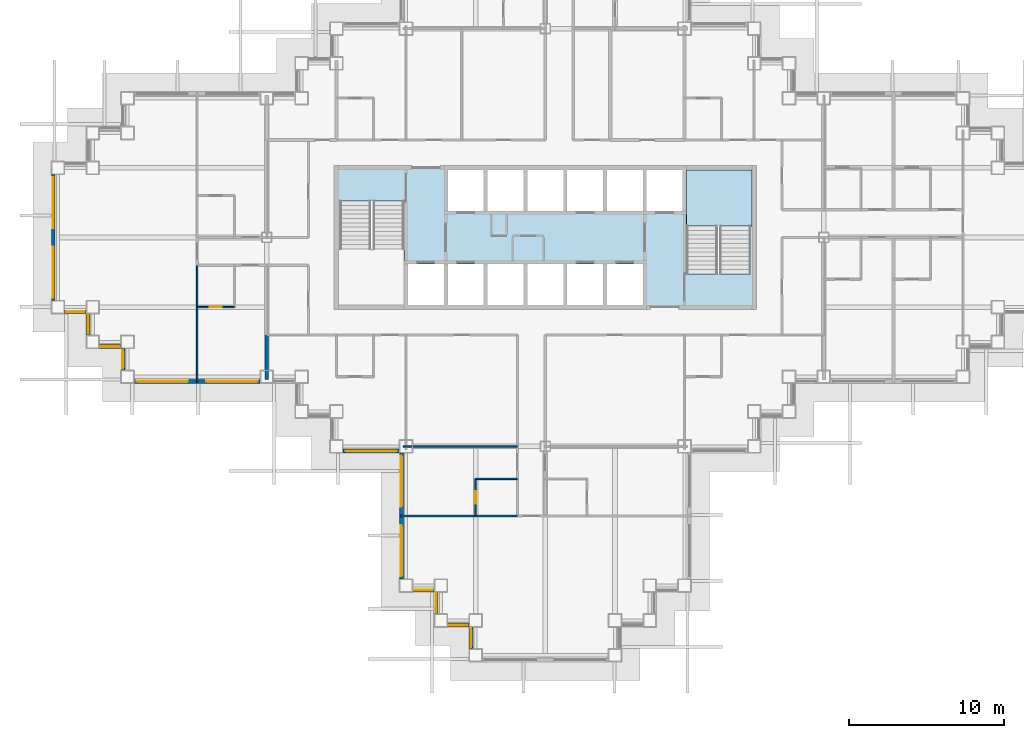
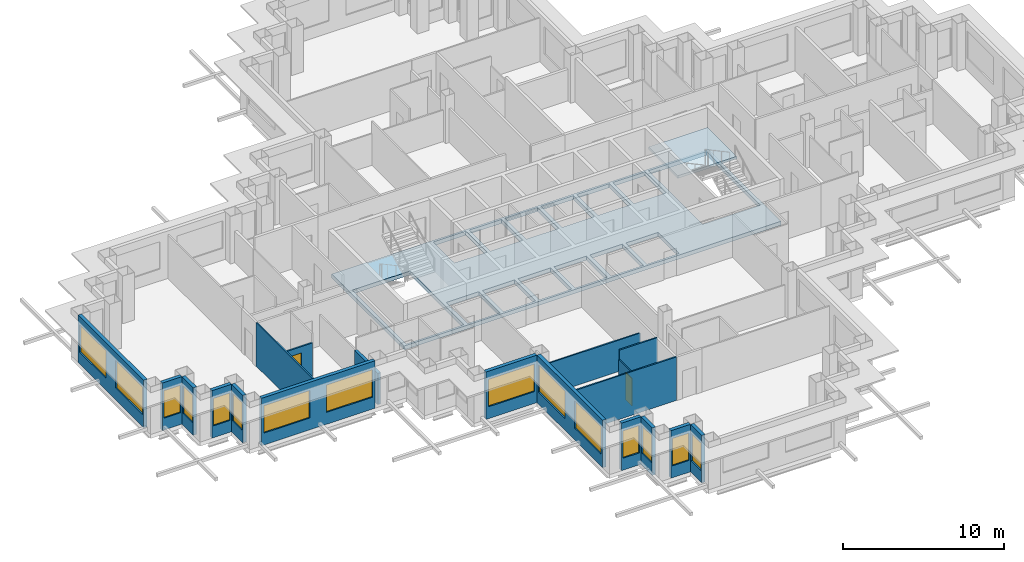
# One storey, part 4 of 17: 19 walls, 15 windows, 2 doors, 2 slabs, 17 openings, 1 element without a shape of its own.
"""IFC4 building model written with IfcOpenShell, lengths in metres."""

from ifc_helpers import new_model, si_unit, direction, frame, frame_2d, origin, place, context, subcontext, project, spatial, polyline, rectangle, outline, extrude, material, layer, layer_set, type_object, element, fill, aggregate, save


model = new_model("IFC4")

# Units and contexts
model_context = context("Model", 3, precision=1e-05, world=origin(), true_north=direction((0.0, 1.0)))
body_context = subcontext(model_context, "Body", "Model", "MODEL_VIEW")
ifc_project = project(units=[si_unit("LENGTHUNIT", "METRE"), si_unit("AREAUNIT", "SQUARE_METRE"), si_unit("VOLUMEUNIT", "CUBIC_METRE"), si_unit("PLANEANGLEUNIT", "RADIAN"), si_unit("MASSUNIT", "GRAM", prefix="KILO")], contexts=[model_context])

# Site, building, storey
site_placement = place(None, origin())
site = spatial("IfcSite", under=ifc_project, at=site_placement, CompositionType="ELEMENT")
building_placement = place(site_placement, origin())
building = spatial("IfcBuilding", under=site, at=building_placement, Name="Caravel Reach Hotel and Residences", CompositionType="ELEMENT")
storey_placement = place(building_placement, frame((0.0, 0.0, 126.0)))
storey = spatial("IfcBuildingStorey", under=building, at=storey_placement, Name="L31", CompositionType="ELEMENT", Elevation=126.0)

# Slab
ifc_material_1 = material(Name="Concrete C40", Category="concrete")
ifc_layer_1 = layer(ifc_material_1, 0.300048828125)
ifc_layer_set_1 = layer_set([ifc_layer_1], Name="Core floor slab 300 mm")
slab_type_1 = type_object("IfcSlabType", Name="Core floor slab 300 mm", PredefinedType="FLOOR", material=ifc_layer_set_1)
slab_1_placement = place(storey_placement, frame((0.0, 0.0, -0.300048828125)))
element("IfcSlab", 1, at=slab_1_placement, inside=storey, type_object=slab_type_1, Name="L31 core floor", PredefinedType="FLOOR", context=body_context, shape_type="SweptSolid", body=[
    extrude(outline(polyline([(18.0, 31.5), (45.0, 31.5), (45.0, 22.5), (18.0, 22.5), (18.0, 31.5)]), holes=[polyline([(22.625, 25.27490234375), (22.625, 22.64990234375), (24.9462890625, 22.64990234375), (24.9462890625, 25.27490234375), (22.625, 25.27490234375)]), polyline([(27.517822265625, 25.27490234375), (25.1962890625, 25.27490234375), (25.1962890625, 22.64990234375), (27.517822265625, 22.64990234375), (27.517822265625, 25.27490234375)]), polyline([(30.08935546875, 25.27490234375), (27.767822265625, 25.27490234375), (27.767822265625, 22.64990234375), (30.08935546875, 22.64990234375), (30.08935546875, 25.27490234375)]), polyline([(32.66064453125, 25.27490234375), (30.33935546875, 25.27490234375), (30.33935546875, 22.64990234375), (32.66064453125, 22.64990234375), (32.66064453125, 25.27490234375)]), polyline([(18.22509765625, 22.64990234375), (22.375, 22.64990234375), (22.375, 29.35009765625), (18.22509765625, 29.35009765625), (18.22509765625, 22.64990234375)]), polyline([(27.517822265625, 31.35009765625), (25.1962890625, 31.35009765625), (25.1962890625, 28.72509765625), (27.517822265625, 28.72509765625), (27.517822265625, 31.35009765625)]), polyline([(30.08935546875, 31.35009765625), (27.767822265625, 31.35009765625), (27.767822265625, 28.72509765625), (30.08935546875, 28.72509765625), (30.08935546875, 31.35009765625)]), polyline([(32.91064453125, 25.27490234375), (32.91064453125, 22.64990234375), (35.232177734375, 22.64990234375), (35.232177734375, 25.27490234375), (32.91064453125, 25.27490234375)]), polyline([(37.8037109375, 25.27490234375), (35.482177734375, 25.27490234375), (35.482177734375, 22.64990234375), (37.8037109375, 22.64990234375), (37.8037109375, 25.27490234375)]), polyline([(44.77490234375, 31.35009765625), (40.625, 31.35009765625), (40.625, 24.64990234375), (44.77490234375, 24.64990234375), (44.77490234375, 31.35009765625)]), polyline([(32.66064453125, 31.35009765625), (30.33935546875, 31.35009765625), (30.33935546875, 28.72509765625), (32.66064453125, 28.72509765625), (32.66064453125, 31.35009765625)]), polyline([(35.232177734375, 31.35009765625), (32.91064453125, 31.35009765625), (32.91064453125, 28.72509765625), (35.232177734375, 28.72509765625), (35.232177734375, 31.35009765625)]), polyline([(37.8037109375, 31.35009765625), (35.482177734375, 31.35009765625), (35.482177734375, 28.72509765625), (37.8037109375, 28.72509765625), (37.8037109375, 31.35009765625)]), polyline([(40.375, 31.35009765625), (38.0537109375, 31.35009765625), (38.0537109375, 28.72509765625), (40.375, 28.72509765625), (40.375, 31.35009765625)])]), origin(), (0.0, 0.0, 1.0), 0.300048828125),
])

# Stair, slab
ifc_material_2 = material(Name="Concrete C40", Category="concrete")
stair_type = type_object("IfcStairType", Name="Core stair", PredefinedType="HALF_TURN_STAIR", material=ifc_material_2)
stair_placement = place(storey_placement, origin())
stair = element("IfcStair", 2, at=stair_placement, inside=storey, type_object=stair_type, Name="L31 Exit stair B", PredefinedType="HALF_TURN_STAIR")
ifc_material_3 = material(Name="Concrete C40", Category="concrete")
ifc_layer_2 = layer(ifc_material_3, 0.199951171875)
ifc_layer_set_2 = layer_set([ifc_layer_2], Name="Core stair landing")
slab_type_2 = type_object("IfcSlabType", Name="Core stair landing", PredefinedType="LANDING", material=ifc_layer_set_2)
slab_2_placement = place(storey_placement, frame((0.0, 0.0, 1.60009765625)))
slab_2 = element("IfcSlab", 3, at=slab_2_placement, type_object=slab_type_2, Name="ST-B landing 1", PredefinedType="LANDING", context=body_context, shape_type="SweptSolid", body=[
    extrude(outline(polyline([(44.85009765625, 27.72998046875), (44.85009765625, 31.35009765625), (40.625, 31.35009765625), (40.625, 27.72998046875), (44.85009765625, 27.72998046875)])), origin(), (0.0, 0.0, 1.0), 0.199951171875),
])
aggregate(stair, [slab_2])

# Wall
ifc_material_4 = material(Name="Gypsum board on steel stud", Category="steel")
ifc_layer_3 = layer(ifc_material_4, 0.10009765625)
ifc_layer_set_3 = layer_set([ifc_layer_3], Name="Bathroom pod wall 100 mm")
wall_type_1 = type_object("IfcWallType", Name="Bathroom pod wall 100 mm", PredefinedType="PARTITIONING", material=ifc_layer_set_3)
wall_1_placement = place(storey_placement, frame((27.0, 11.39990234375, 0.0), z_axis=(0.0, 0.0, 1.0), x_axis=(1.0, 0.0, 0.0)))
element("IfcWall", 4, at=wall_1_placement, inside=storey, type_object=wall_type_1, Name="L31 wall w068", PredefinedType="PARTITIONING", context=body_context, shape_type="SweptSolid", body=[
    extrude(rectangle(XDim=2.699951171875, YDim=0.10009765625, at=frame_2d((1.35009765625, 0.0))), origin(), (0.0, 0.0, 1.0), 3.300048828125),
])

# Wall, opening, door
wall_2_placement = place(storey_placement, frame((9.0, 22.5, 0.0), z_axis=(0.0, 0.0, 1.0), x_axis=(1.0, 0.0, 0.0)))
wall_2 = element("IfcWall", 5, at=wall_2_placement, inside=storey, type_object=wall_type_1, Name="L31 wall w071", PredefinedType="PARTITIONING", context=body_context, shape_type="SweptSolid", body=[
    extrude(rectangle(XDim=2.39990234375, YDim=0.10009765625, at=frame_2d((1.199951171875, 0.0))), origin(), (0.0, 0.0, 1.0), 2.580078125),
])
opening_1_placement = place(wall_2_placement, frame((0.800048828125, 0.0, 0.0)))
opening_1 = element("IfcOpeningElement", 6, at=opening_1_placement, cuts=wall_2, Name="Opening D31-017", PredefinedType="OPENING", context=body_context, shape_type="SweptSolid", body=[
    extrude(rectangle(XDim=0.800048828125, YDim=2.10009765625, at=frame_2d((0.39990234375, 1.050048828125))), frame((0.0, 0.06005859375, 0.0), z_axis=(0.0, -1.0, 0.0), x_axis=(1.0, 0.0, 0.0)), (0.0, 0.0, 1.0), 0.1201171875),
])
ifc_material_5 = material(Name="Timber and steel door leaf", Category="steel")
door_type = type_object("IfcDoorType", Name="Bathroom door 800 x 2100", OperationType="SINGLE_SWING_LEFT", PredefinedType="DOOR", material=ifc_material_5)
door_1_placement = place(opening_1_placement, origin())
door_1 = element("IfcDoor", 7, at=door_1_placement, inside=storey, type_object=door_type, Name="door D31-017", OperationType="SINGLE_SWING_RIGHT", OverallHeight=2.10009765625, OverallWidth=0.800048828125, PredefinedType="DOOR", context=body_context, shape_type="SweptSolid", body=[
    extrude(rectangle(XDim=0.800048828125, YDim=2.10009765625, at=frame_2d((0.39990234375, 1.050048828125))), frame((0.0, 0.02490234375, 0.0), z_axis=(0.0, -1.0, 0.0), x_axis=(1.0, 0.0, 0.0)), (0.0, 0.0, 1.0), 0.050048828125),
])
fill(opening_1, door_1)

wall_3_placement = place(storey_placement, frame((27.0, 9.0, 0.0), z_axis=(0.0, 0.0, 1.0), x_axis=(0.0, 1.0, 0.0)))
wall_3 = element("IfcWall", 8, at=wall_3_placement, inside=storey, type_object=wall_type_1, Name="L31 wall w086", PredefinedType="PARTITIONING", context=body_context, shape_type="SweptSolid", body=[
    extrude(rectangle(XDim=2.39990234375, YDim=0.10009765625, at=frame_2d((1.199951171875, 0.0))), origin(), (0.0, 0.0, 1.0), 2.580078125),
])
opening_2_placement = place(wall_3_placement, frame((0.800048828125, 0.0, 0.0)))
opening_2 = element("IfcOpeningElement", 9, at=opening_2_placement, cuts=wall_3, Name="Opening D31-033", PredefinedType="OPENING", context=body_context, shape_type="SweptSolid", body=[
    extrude(rectangle(XDim=0.800048828125, YDim=2.10009765625, at=frame_2d((0.39990234375, 1.050048828125))), frame((0.0, 0.06005859375, 0.0), z_axis=(0.0, -1.0, 0.0), x_axis=(1.0, 0.0, 0.0)), (0.0, 0.0, 1.0), 0.1201171875),
])
door_2_placement = place(opening_2_placement, origin())
door_2 = element("IfcDoor", 10, at=door_2_placement, inside=storey, type_object=door_type, Name="door D31-033", OperationType="SINGLE_SWING_LEFT", OverallHeight=2.10009765625, OverallWidth=0.800048828125, PredefinedType="DOOR", context=body_context, shape_type="SweptSolid", body=[
    extrude(rectangle(XDim=0.800048828125, YDim=2.10009765625, at=frame_2d((0.39990234375, 1.050048828125))), frame((0.0, 0.02490234375, 0.0), z_axis=(0.0, -1.0, 0.0), x_axis=(1.0, 0.0, 0.0)), (0.0, 0.0, 1.0), 0.050048828125),
])
fill(opening_2, door_2)

# Wall, opening, window
ifc_material_6 = material(Name="Insulated rainscreen wall, aluminium cladding", Category="aluminium")
ifc_layer_4 = layer(ifc_material_6, 0.25)
ifc_layer_set_4 = layer_set([ifc_layer_4], Name="EW1 Tower rainscreen wall")
wall_type_2 = type_object("IfcWallType", Name="EW1 Tower rainscreen wall", PredefinedType="SOLIDWALL", material=ifc_layer_set_4)
wall_4_placement = place(storey_placement, frame((22.925048828125, 4.199951171875, 0.0), z_axis=(0.0, 0.0, 1.0), x_axis=(1.0, 0.0, 0.0)))
wall_4 = element("IfcWall", 11, at=wall_4_placement, inside=storey, type_object=wall_type_2, Name="External wall L31 S1.1", PredefinedType="SOLIDWALL", context=body_context, shape_type="SweptSolid", body=[
    extrude(rectangle(XDim=1.39990234375, YDim=0.25, at=frame_2d((0.699951171875, 0.0))), origin(), (0.0, 0.0, 1.0), 3.60009765625),
])
opening_3_placement = place(wall_4_placement, frame((0.10009765625, 0.0, 0.89990234375)))
opening_3 = element("IfcOpeningElement", 12, at=opening_3_placement, cuts=wall_4, Name="Opening WN9", PredefinedType="OPENING", context=body_context, shape_type="SweptSolid", body=[
    extrude(rectangle(XDim=1.199951171875, YDim=2.080078125, at=frame_2d((0.60009765625, 1.0400390625))), frame((0.0, 0.135009765625, 0.0), z_axis=(0.0, -1.0, 0.0), x_axis=(1.0, 0.0, 0.0)), (0.0, 0.0, 1.0), 0.27001953125),
])
ifc_material_7 = material(Name="Dark low-e glazing in black aluminium frame", Category="aluminium")
window_type_1 = type_object("IfcWindowType", Name="Hotel suite corner window 1200 x 2080", PartitioningType="SINGLE_PANEL", PredefinedType="WINDOW", material=ifc_material_7)
window_1_placement = place(opening_3_placement, origin())
window_1 = element("IfcWindow", 13, at=window_1_placement, inside=storey, type_object=window_type_1, Name="Window L31 S1.1.1", OverallHeight=2.080078125, OverallWidth=1.199951171875, PartitioningType="SINGLE_PANEL", PredefinedType="WINDOW", context=body_context, shape_type="SweptSolid", body=[
    extrude(rectangle(XDim=1.199951171875, YDim=2.080078125, at=frame_2d((0.60009765625, 1.0400390625))), frame((0.0, 0.030029296875, 0.0), z_axis=(0.0, -1.0, 0.0), x_axis=(1.0, 0.0, 0.0)), (0.0, 0.0, 1.0), 0.06005859375),
])
fill(opening_3, window_1)

wall_5_placement = place(storey_placement, frame((24.449951171875, 4.074951171875, 0.0), z_axis=(0.0, 0.0, 1.0), x_axis=(0.0, -1.0, 0.0)))
wall_5 = element("IfcWall", 14, at=wall_5_placement, inside=storey, type_object=wall_type_2, Name="External wall L31 W2.1", PredefinedType="SOLIDWALL", context=body_context, shape_type="SweptSolid", body=[
    extrude(rectangle(XDim=1.39990234375, YDim=0.25, at=frame_2d((0.699951171875, 0.0))), origin(), (0.0, 0.0, 1.0), 3.60009765625),
])
opening_4_placement = place(wall_5_placement, frame((0.10009765625, 0.0, 0.89990234375)))
opening_4 = element("IfcOpeningElement", 15, at=opening_4_placement, cuts=wall_5, Name="Opening WN9", PredefinedType="OPENING", context=body_context, shape_type="SweptSolid", body=[
    extrude(rectangle(XDim=1.199951171875, YDim=2.080078125, at=frame_2d((0.60009765625, 1.0400390625))), frame((0.0, 0.135009765625, 0.0), z_axis=(0.0, -1.0, 0.0), x_axis=(1.0, 0.0, 0.0)), (0.0, 0.0, 1.0), 0.27001953125),
])
window_2_placement = place(opening_4_placement, origin())
window_2 = element("IfcWindow", 16, at=window_2_placement, inside=storey, type_object=window_type_1, Name="Window L31 W2.1.1", OverallHeight=2.080078125, OverallWidth=1.199951171875, PartitioningType="SINGLE_PANEL", PredefinedType="WINDOW", context=body_context, shape_type="SweptSolid", body=[
    extrude(rectangle(XDim=1.199951171875, YDim=2.080078125, at=frame_2d((0.60009765625, 1.0400390625))), frame((0.0, 0.030029296875, 0.0), z_axis=(0.0, -1.0, 0.0), x_axis=(1.0, 0.0, 0.0)), (0.0, 0.0, 1.0), 0.06005859375),
])
fill(opening_4, window_2)

wall_6_placement = place(storey_placement, frame((25.175048828125, 1.949951171875, 0.0), z_axis=(0.0, 0.0, 1.0), x_axis=(1.0, 0.0, 0.0)))
wall_6 = element("IfcWall", 17, at=wall_6_placement, inside=storey, type_object=wall_type_2, Name="External wall L31 S3.1", PredefinedType="SOLIDWALL", context=body_context, shape_type="SweptSolid", body=[
    extrude(rectangle(XDim=1.39990234375, YDim=0.25, at=frame_2d((0.699951171875, 0.0))), origin(), (0.0, 0.0, 1.0), 3.60009765625),
])
opening_5_placement = place(wall_6_placement, frame((0.10009765625, 0.0, 0.89990234375)))
opening_5 = element("IfcOpeningElement", 18, at=opening_5_placement, cuts=wall_6, Name="Opening WN9", PredefinedType="OPENING", context=body_context, shape_type="SweptSolid", body=[
    extrude(rectangle(XDim=1.199951171875, YDim=2.080078125, at=frame_2d((0.60009765625, 1.0400390625))), frame((0.0, 0.135009765625, 0.0), z_axis=(0.0, -1.0, 0.0), x_axis=(1.0, 0.0, 0.0)), (0.0, 0.0, 1.0), 0.27001953125),
])
window_3_placement = place(opening_5_placement, origin())
window_3 = element("IfcWindow", 19, at=window_3_placement, inside=storey, type_object=window_type_1, Name="Window L31 S3.1.1", OverallHeight=2.080078125, OverallWidth=1.199951171875, PartitioningType="SINGLE_PANEL", PredefinedType="WINDOW", context=body_context, shape_type="SweptSolid", body=[
    extrude(rectangle(XDim=1.199951171875, YDim=2.080078125, at=frame_2d((0.60009765625, 1.0400390625))), frame((0.0, 0.030029296875, 0.0), z_axis=(0.0, -1.0, 0.0), x_axis=(1.0, 0.0, 0.0)), (0.0, 0.0, 1.0), 0.06005859375),
])
fill(opening_5, window_3)

wall_7_placement = place(storey_placement, frame((26.699951171875, 1.824951171875, 0.0), z_axis=(0.0, 0.0, 1.0), x_axis=(0.0, -1.0, 0.0)))
wall_7 = element("IfcWall", 20, at=wall_7_placement, inside=storey, type_object=wall_type_2, Name="External wall L31 W4.1", PredefinedType="SOLIDWALL", context=body_context, shape_type="SweptSolid", body=[
    extrude(rectangle(XDim=1.39990234375, YDim=0.25, at=frame_2d((0.699951171875, 0.0))), origin(), (0.0, 0.0, 1.0), 3.60009765625),
])
opening_6_placement = place(wall_7_placement, frame((0.10009765625, 0.0, 0.89990234375)))
opening_6 = element("IfcOpeningElement", 21, at=opening_6_placement, cuts=wall_7, Name="Opening WN9", PredefinedType="OPENING", context=body_context, shape_type="SweptSolid", body=[
    extrude(rectangle(XDim=1.199951171875, YDim=2.080078125, at=frame_2d((0.60009765625, 1.0400390625))), frame((0.0, 0.135009765625, 0.0), z_axis=(0.0, -1.0, 0.0), x_axis=(1.0, 0.0, 0.0)), (0.0, 0.0, 1.0), 0.27001953125),
])
window_4_placement = place(opening_6_placement, origin())
window_4 = element("IfcWindow", 22, at=window_4_placement, inside=storey, type_object=window_type_1, Name="Window L31 W4.1.1", OverallHeight=2.080078125, OverallWidth=1.199951171875, PartitioningType="SINGLE_PANEL", PredefinedType="WINDOW", context=body_context, shape_type="SweptSolid", body=[
    extrude(rectangle(XDim=1.199951171875, YDim=2.080078125, at=frame_2d((0.60009765625, 1.0400390625))), frame((0.0, 0.030029296875, 0.0), z_axis=(0.0, -1.0, 0.0), x_axis=(1.0, 0.0, 0.0)), (0.0, 0.0, 1.0), 0.06005859375),
])
fill(opening_6, window_4)

# Wall, openings, windows
wall_8_placement = place(storey_placement, frame((-0.300048828125, 31.074951171875, 0.0), z_axis=(0.0, 0.0, 1.0), x_axis=(0.0, -1.0, 0.0)))
wall_8 = element("IfcWall", 23, at=wall_8_placement, inside=storey, type_object=wall_type_2, Name="External wall L31 W50.1", PredefinedType="SOLIDWALL", context=body_context, shape_type="SweptSolid", body=[
    extrude(rectangle(XDim=8.14990234375, YDim=0.25, at=frame_2d((4.074951171875, 0.0))), origin(), (0.0, 0.0, 1.0), 3.60009765625),
])
opening_7_placement = place(wall_8_placement, frame((0.175048828125, 0.0, 0.89990234375)))
opening_7 = element("IfcOpeningElement", 24, at=opening_7_placement, cuts=wall_8, Name="Opening WN4", PredefinedType="OPENING", context=body_context, shape_type="SweptSolid", body=[
    extrude(rectangle(XDim=3.300048828125, YDim=2.080078125, at=frame_2d((1.64990234375, 1.0400390625))), frame((0.0, 0.135009765625, 0.0), z_axis=(0.0, -1.0, 0.0), x_axis=(1.0, 0.0, 0.0)), (0.0, 0.0, 1.0), 0.27001953125),
])
opening_8_placement = place(wall_8_placement, frame((4.675048828125, 0.0, 0.89990234375)))
opening_8 = element("IfcOpeningElement", 25, at=opening_8_placement, cuts=wall_8, Name="Opening WN4", PredefinedType="OPENING", context=body_context, shape_type="SweptSolid", body=[
    extrude(rectangle(XDim=3.300048828125, YDim=2.080078125, at=frame_2d((1.64990234375, 1.0400390625))), frame((0.0, 0.135009765625, 0.0), z_axis=(0.0, -1.0, 0.0), x_axis=(1.0, 0.0, 0.0)), (0.0, 0.0, 1.0), 0.27001953125),
])
ifc_material_8 = material(Name="Dark low-e glazing in black aluminium frame", Category="aluminium")
window_type_2 = type_object("IfcWindowType", Name="Hotel guest room window 3300 x 2080", PartitioningType="SINGLE_PANEL", PredefinedType="WINDOW", material=ifc_material_8)
window_5_placement = place(opening_7_placement, origin())
window_5 = element("IfcWindow", 26, at=window_5_placement, inside=storey, type_object=window_type_2, Name="Window L31 W50.1.1", OverallHeight=2.080078125, OverallWidth=3.300048828125, PartitioningType="SINGLE_PANEL", PredefinedType="WINDOW", context=body_context, shape_type="SweptSolid", body=[
    extrude(rectangle(XDim=3.300048828125, YDim=2.080078125, at=frame_2d((1.64990234375, 1.0400390625))), frame((0.0, 0.030029296875, 0.0), z_axis=(0.0, -1.0, 0.0), x_axis=(1.0, 0.0, 0.0)), (0.0, 0.0, 1.0), 0.06005859375),
])
fill(opening_7, window_5)
window_6_placement = place(opening_8_placement, origin())
window_6 = element("IfcWindow", 27, at=window_6_placement, inside=storey, type_object=window_type_2, Name="Window L31 W50.1.2", OverallHeight=2.080078125, OverallWidth=3.300048828125, PartitioningType="SINGLE_PANEL", PredefinedType="WINDOW", context=body_context, shape_type="SweptSolid", body=[
    extrude(rectangle(XDim=3.300048828125, YDim=2.080078125, at=frame_2d((1.64990234375, 1.0400390625))), frame((0.0, 0.030029296875, 0.0), z_axis=(0.0, -1.0, 0.0), x_axis=(1.0, 0.0, 0.0)), (0.0, 0.0, 1.0), 0.06005859375),
])
fill(opening_8, window_6)

# Wall, opening, window
wall_9_placement = place(storey_placement, frame((0.425048828125, 22.199951171875, 0.0), z_axis=(0.0, 0.0, 1.0), x_axis=(1.0, 0.0, 0.0)))
wall_9 = element("IfcWall", 28, at=wall_9_placement, inside=storey, type_object=wall_type_2, Name="External wall L31 S51.1", PredefinedType="SOLIDWALL", context=body_context, shape_type="SweptSolid", body=[
    extrude(rectangle(XDim=1.39990234375, YDim=0.25, at=frame_2d((0.699951171875, 0.0))), origin(), (0.0, 0.0, 1.0), 3.60009765625),
])
opening_9_placement = place(wall_9_placement, frame((0.10009765625, 0.0, 0.89990234375)))
opening_9 = element("IfcOpeningElement", 29, at=opening_9_placement, cuts=wall_9, Name="Opening WN9", PredefinedType="OPENING", context=body_context, shape_type="SweptSolid", body=[
    extrude(rectangle(XDim=1.199951171875, YDim=2.080078125, at=frame_2d((0.60009765625, 1.0400390625))), frame((0.0, 0.135009765625, 0.0), z_axis=(0.0, -1.0, 0.0), x_axis=(1.0, 0.0, 0.0)), (0.0, 0.0, 1.0), 0.27001953125),
])
window_7_placement = place(opening_9_placement, origin())
window_7 = element("IfcWindow", 30, at=window_7_placement, inside=storey, type_object=window_type_1, Name="Window L31 S51.1.1", OverallHeight=2.080078125, OverallWidth=1.199951171875, PartitioningType="SINGLE_PANEL", PredefinedType="WINDOW", context=body_context, shape_type="SweptSolid", body=[
    extrude(rectangle(XDim=1.199951171875, YDim=2.080078125, at=frame_2d((0.60009765625, 1.0400390625))), frame((0.0, 0.030029296875, 0.0), z_axis=(0.0, -1.0, 0.0), x_axis=(1.0, 0.0, 0.0)), (0.0, 0.0, 1.0), 0.06005859375),
])
fill(opening_9, window_7)

wall_10_placement = place(storey_placement, frame((1.949951171875, 22.074951171875, 0.0), z_axis=(0.0, 0.0, 1.0), x_axis=(0.0, -1.0, 0.0)))
wall_10 = element("IfcWall", 31, at=wall_10_placement, inside=storey, type_object=wall_type_2, Name="External wall L31 W52.1", PredefinedType="SOLIDWALL", context=body_context, shape_type="SweptSolid", body=[
    extrude(rectangle(XDim=1.39990234375, YDim=0.25, at=frame_2d((0.699951171875, 0.0))), origin(), (0.0, 0.0, 1.0), 3.60009765625),
])
opening_10_placement = place(wall_10_placement, frame((0.10009765625, 0.0, 0.89990234375)))
opening_10 = element("IfcOpeningElement", 32, at=opening_10_placement, cuts=wall_10, Name="Opening WN9", PredefinedType="OPENING", context=body_context, shape_type="SweptSolid", body=[
    extrude(rectangle(XDim=1.199951171875, YDim=2.080078125, at=frame_2d((0.60009765625, 1.0400390625))), frame((0.0, 0.135009765625, 0.0), z_axis=(0.0, -1.0, 0.0), x_axis=(1.0, 0.0, 0.0)), (0.0, 0.0, 1.0), 0.27001953125),
])
window_8_placement = place(opening_10_placement, origin())
window_8 = element("IfcWindow", 33, at=window_8_placement, inside=storey, type_object=window_type_1, Name="Window L31 W52.1.1", OverallHeight=2.080078125, OverallWidth=1.199951171875, PartitioningType="SINGLE_PANEL", PredefinedType="WINDOW", context=body_context, shape_type="SweptSolid", body=[
    extrude(rectangle(XDim=1.199951171875, YDim=2.080078125, at=frame_2d((0.60009765625, 1.0400390625))), frame((0.0, 0.030029296875, 0.0), z_axis=(0.0, -1.0, 0.0), x_axis=(1.0, 0.0, 0.0)), (0.0, 0.0, 1.0), 0.06005859375),
])
fill(opening_10, window_8)

wall_11_placement = place(storey_placement, frame((2.675048828125, 19.949951171875, 0.0), z_axis=(0.0, 0.0, 1.0), x_axis=(1.0, 0.0, 0.0)))
wall_11 = element("IfcWall", 34, at=wall_11_placement, inside=storey, type_object=wall_type_2, Name="External wall L31 S53.1", PredefinedType="SOLIDWALL", context=body_context, shape_type="SweptSolid", body=[
    extrude(rectangle(XDim=1.39990234375, YDim=0.25, at=frame_2d((0.699951171875, 0.0))), origin(), (0.0, 0.0, 1.0), 3.60009765625),
])
opening_11_placement = place(wall_11_placement, frame((0.10009765625, 0.0, 0.89990234375)))
opening_11 = element("IfcOpeningElement", 35, at=opening_11_placement, cuts=wall_11, Name="Opening WN9", PredefinedType="OPENING", context=body_context, shape_type="SweptSolid", body=[
    extrude(rectangle(XDim=1.199951171875, YDim=2.080078125, at=frame_2d((0.60009765625, 1.0400390625))), frame((0.0, 0.135009765625, 0.0), z_axis=(0.0, -1.0, 0.0), x_axis=(1.0, 0.0, 0.0)), (0.0, 0.0, 1.0), 0.27001953125),
])
window_9_placement = place(opening_11_placement, origin())
window_9 = element("IfcWindow", 36, at=window_9_placement, inside=storey, type_object=window_type_1, Name="Window L31 S53.1.1", OverallHeight=2.080078125, OverallWidth=1.199951171875, PartitioningType="SINGLE_PANEL", PredefinedType="WINDOW", context=body_context, shape_type="SweptSolid", body=[
    extrude(rectangle(XDim=1.199951171875, YDim=2.080078125, at=frame_2d((0.60009765625, 1.0400390625))), frame((0.0, 0.030029296875, 0.0), z_axis=(0.0, -1.0, 0.0), x_axis=(1.0, 0.0, 0.0)), (0.0, 0.0, 1.0), 0.06005859375),
])
fill(opening_11, window_9)

wall_12_placement = place(storey_placement, frame((4.199951171875, 19.824951171875, 0.0), z_axis=(0.0, 0.0, 1.0), x_axis=(0.0, -1.0, 0.0)))
wall_12 = element("IfcWall", 37, at=wall_12_placement, inside=storey, type_object=wall_type_2, Name="External wall L31 W54.1", PredefinedType="SOLIDWALL", context=body_context, shape_type="SweptSolid", body=[
    extrude(rectangle(XDim=1.39990234375, YDim=0.25, at=frame_2d((0.699951171875, 0.0))), origin(), (0.0, 0.0, 1.0), 3.60009765625),
])
opening_12_placement = place(wall_12_placement, frame((0.10009765625, 0.0, 0.89990234375)))
opening_12 = element("IfcOpeningElement", 38, at=opening_12_placement, cuts=wall_12, Name="Opening WN9", PredefinedType="OPENING", context=body_context, shape_type="SweptSolid", body=[
    extrude(rectangle(XDim=1.199951171875, YDim=2.080078125, at=frame_2d((0.60009765625, 1.0400390625))), frame((0.0, 0.135009765625, 0.0), z_axis=(0.0, -1.0, 0.0), x_axis=(1.0, 0.0, 0.0)), (0.0, 0.0, 1.0), 0.27001953125),
])
window_10_placement = place(opening_12_placement, origin())
window_10 = element("IfcWindow", 39, at=window_10_placement, inside=storey, type_object=window_type_1, Name="Window L31 W54.1.1", OverallHeight=2.080078125, OverallWidth=1.199951171875, PartitioningType="SINGLE_PANEL", PredefinedType="WINDOW", context=body_context, shape_type="SweptSolid", body=[
    extrude(rectangle(XDim=1.199951171875, YDim=2.080078125, at=frame_2d((0.60009765625, 1.0400390625))), frame((0.0, 0.030029296875, 0.0), z_axis=(0.0, -1.0, 0.0), x_axis=(1.0, 0.0, 0.0)), (0.0, 0.0, 1.0), 0.06005859375),
])
fill(opening_12, window_10)

# Wall, openings, windows
wall_13_placement = place(storey_placement, frame((4.925048828125, 17.699951171875, 0.0), z_axis=(0.0, 0.0, 1.0), x_axis=(1.0, 0.0, 0.0)))
wall_13 = element("IfcWall", 40, at=wall_13_placement, inside=storey, type_object=wall_type_2, Name="External wall L31 S55.1", PredefinedType="SOLIDWALL", context=body_context, shape_type="SweptSolid", body=[
    extrude(rectangle(XDim=8.14990234375, YDim=0.25, at=frame_2d((4.074951171875, 0.0))), origin(), (0.0, 0.0, 1.0), 3.60009765625),
])
opening_13_placement = place(wall_13_placement, frame((0.175048828125, 0.0, 0.89990234375)))
opening_13 = element("IfcOpeningElement", 41, at=opening_13_placement, cuts=wall_13, Name="Opening WN4", PredefinedType="OPENING", context=body_context, shape_type="SweptSolid", body=[
    extrude(rectangle(XDim=3.300048828125, YDim=2.080078125, at=frame_2d((1.64990234375, 1.0400390625))), frame((0.0, 0.135009765625, 0.0), z_axis=(0.0, -1.0, 0.0), x_axis=(1.0, 0.0, 0.0)), (0.0, 0.0, 1.0), 0.27001953125),
])
opening_14_placement = place(wall_13_placement, frame((4.675048828125, 0.0, 0.89990234375)))
opening_14 = element("IfcOpeningElement", 42, at=opening_14_placement, cuts=wall_13, Name="Opening WN4", PredefinedType="OPENING", context=body_context, shape_type="SweptSolid", body=[
    extrude(rectangle(XDim=3.300048828125, YDim=2.080078125, at=frame_2d((1.64990234375, 1.0400390625))), frame((0.0, 0.135009765625, 0.0), z_axis=(0.0, -1.0, 0.0), x_axis=(1.0, 0.0, 0.0)), (0.0, 0.0, 1.0), 0.27001953125),
])
window_11_placement = place(opening_13_placement, origin())
window_11 = element("IfcWindow", 43, at=window_11_placement, inside=storey, type_object=window_type_2, Name="Window L31 S55.1.1", OverallHeight=2.080078125, OverallWidth=3.300048828125, PartitioningType="SINGLE_PANEL", PredefinedType="WINDOW", context=body_context, shape_type="SweptSolid", body=[
    extrude(rectangle(XDim=3.300048828125, YDim=2.080078125, at=frame_2d((1.64990234375, 1.0400390625))), frame((0.0, 0.030029296875, 0.0), z_axis=(0.0, -1.0, 0.0), x_axis=(1.0, 0.0, 0.0)), (0.0, 0.0, 1.0), 0.06005859375),
])
fill(opening_13, window_11)
window_12_placement = place(opening_14_placement, origin())
window_12 = element("IfcWindow", 44, at=window_12_placement, inside=storey, type_object=window_type_2, Name="Window L31 S55.1.2", OverallHeight=2.080078125, OverallWidth=3.300048828125, PartitioningType="SINGLE_PANEL", PredefinedType="WINDOW", context=body_context, shape_type="SweptSolid", body=[
    extrude(rectangle(XDim=3.300048828125, YDim=2.080078125, at=frame_2d((1.64990234375, 1.0400390625))), frame((0.0, 0.030029296875, 0.0), z_axis=(0.0, -1.0, 0.0), x_axis=(1.0, 0.0, 0.0)), (0.0, 0.0, 1.0), 0.06005859375),
])
fill(opening_14, window_12)

# Wall, opening, window
wall_14_placement = place(storey_placement, frame((18.425048828125, 13.199951171875, 0.0), z_axis=(0.0, 0.0, 1.0), x_axis=(1.0, 0.0, 0.0)))
wall_14 = element("IfcWall", 45, at=wall_14_placement, inside=storey, type_object=wall_type_2, Name="External wall L31 S59.1", PredefinedType="SOLIDWALL", context=body_context, shape_type="SweptSolid", body=[
    extrude(rectangle(XDim=3.64990234375, YDim=0.25, at=frame_2d((1.824951171875, 0.0))), origin(), (0.0, 0.0, 1.0), 3.60009765625),
])
opening_15_placement = place(wall_14_placement, frame((0.175048828125, 0.0, 0.89990234375)))
opening_15 = element("IfcOpeningElement", 46, at=opening_15_placement, cuts=wall_14, Name="Opening WN4", PredefinedType="OPENING", context=body_context, shape_type="SweptSolid", body=[
    extrude(rectangle(XDim=3.300048828125, YDim=2.080078125, at=frame_2d((1.64990234375, 1.0400390625))), frame((0.0, 0.135009765625, 0.0), z_axis=(0.0, -1.0, 0.0), x_axis=(1.0, 0.0, 0.0)), (0.0, 0.0, 1.0), 0.27001953125),
])
window_13_placement = place(opening_15_placement, origin())
window_13 = element("IfcWindow", 47, at=window_13_placement, inside=storey, type_object=window_type_2, Name="Window L31 S59.1.1", OverallHeight=2.080078125, OverallWidth=3.300048828125, PartitioningType="SINGLE_PANEL", PredefinedType="WINDOW", context=body_context, shape_type="SweptSolid", body=[
    extrude(rectangle(XDim=3.300048828125, YDim=2.080078125, at=frame_2d((1.64990234375, 1.0400390625))), frame((0.0, 0.030029296875, 0.0), z_axis=(0.0, -1.0, 0.0), x_axis=(1.0, 0.0, 0.0)), (0.0, 0.0, 1.0), 0.06005859375),
])
fill(opening_15, window_13)

# Wall, openings, windows
wall_15_placement = place(storey_placement, frame((22.199951171875, 13.074951171875, 0.0), z_axis=(0.0, 0.0, 1.0), x_axis=(0.0, -1.0, 0.0)))
wall_15 = element("IfcWall", 48, at=wall_15_placement, inside=storey, type_object=wall_type_2, Name="External wall L31 W60.1", PredefinedType="SOLIDWALL", context=body_context, shape_type="SweptSolid", body=[
    extrude(rectangle(XDim=8.14990234375, YDim=0.25, at=frame_2d((4.074951171875, 0.0))), origin(), (0.0, 0.0, 1.0), 3.60009765625),
])
opening_16_placement = place(wall_15_placement, frame((0.175048828125, 0.0, 0.89990234375)))
opening_16 = element("IfcOpeningElement", 49, at=opening_16_placement, cuts=wall_15, Name="Opening WN4", PredefinedType="OPENING", context=body_context, shape_type="SweptSolid", body=[
    extrude(rectangle(XDim=3.300048828125, YDim=2.080078125, at=frame_2d((1.64990234375, 1.0400390625))), frame((0.0, 0.135009765625, 0.0), z_axis=(0.0, -1.0, 0.0), x_axis=(1.0, 0.0, 0.0)), (0.0, 0.0, 1.0), 0.27001953125),
])
opening_17_placement = place(wall_15_placement, frame((4.675048828125, 0.0, 0.89990234375)))
opening_17 = element("IfcOpeningElement", 50, at=opening_17_placement, cuts=wall_15, Name="Opening WN4", PredefinedType="OPENING", context=body_context, shape_type="SweptSolid", body=[
    extrude(rectangle(XDim=3.300048828125, YDim=2.080078125, at=frame_2d((1.64990234375, 1.0400390625))), frame((0.0, 0.135009765625, 0.0), z_axis=(0.0, -1.0, 0.0), x_axis=(1.0, 0.0, 0.0)), (0.0, 0.0, 1.0), 0.27001953125),
])
window_14_placement = place(opening_16_placement, origin())
window_14 = element("IfcWindow", 51, at=window_14_placement, inside=storey, type_object=window_type_2, Name="Window L31 W60.1.1", OverallHeight=2.080078125, OverallWidth=3.300048828125, PartitioningType="SINGLE_PANEL", PredefinedType="WINDOW", context=body_context, shape_type="SweptSolid", body=[
    extrude(rectangle(XDim=3.300048828125, YDim=2.080078125, at=frame_2d((1.64990234375, 1.0400390625))), frame((0.0, 0.030029296875, 0.0), z_axis=(0.0, -1.0, 0.0), x_axis=(1.0, 0.0, 0.0)), (0.0, 0.0, 1.0), 0.06005859375),
])
fill(opening_16, window_14)
window_15_placement = place(opening_17_placement, origin())
window_15 = element("IfcWindow", 52, at=window_15_placement, inside=storey, type_object=window_type_2, Name="Window L31 W60.1.2", OverallHeight=2.080078125, OverallWidth=3.300048828125, PartitioningType="SINGLE_PANEL", PredefinedType="WINDOW", context=body_context, shape_type="SweptSolid", body=[
    extrude(rectangle(XDim=3.300048828125, YDim=2.080078125, at=frame_2d((1.64990234375, 1.0400390625))), frame((0.0, 0.030029296875, 0.0), z_axis=(0.0, -1.0, 0.0), x_axis=(1.0, 0.0, 0.0)), (0.0, 0.0, 1.0), 0.06005859375),
])
fill(opening_17, window_15)

# Walls
ifc_material_9 = material(Name="Gypsum board on steel stud", Category="steel")
ifc_layer_5 = layer(ifc_material_9, 0.10009765625)
ifc_layer_set_5 = layer_set([ifc_layer_5], Name="Partition 100 mm")
wall_type_3 = type_object("IfcWallType", Name="Partition 100 mm", PredefinedType="PARTITIONING", material=ifc_layer_set_5)
wall_16_placement = place(storey_placement, frame((22.31005859375, 13.5, 0.0), z_axis=(0.0, 0.0, 1.0), x_axis=(1.0, 0.0, 0.0)))
element("IfcWall", 53, at=wall_16_placement, inside=storey, type_object=wall_type_3, Name="L31 wall w038", PredefinedType="PARTITIONING", context=body_context, shape_type="SweptSolid", body=[
    extrude(rectangle(XDim=7.389892578125, YDim=0.10009765625, at=frame_2d((3.69482421875, 0.0))), origin(), (0.0, 0.0, 1.0), 2.3798828125),
])
for number, where, z_axis, x_axis, name in (
    (54, (22.135009765625, 9.0, 0.0), (0.0, 0.0, 1.0), (1.0, 0.0, 0.0), "L31 wall w048"),
    (55, (9.0, 17.635009765625, 0.0), (0.0, 0.0, 1.0), (0.0, 1.0, 0.0), "L31 wall w062"),
):
    element("IfcWall", number, at=place(storey_placement, frame(where, z_axis=z_axis, x_axis=x_axis)), inside=storey, type_object=wall_type_3, Name=name, PredefinedType="PARTITIONING", context=body_context, shape_type="SweptSolid", body=[
        extrude(rectangle(XDim=7.56494140625, YDim=0.10009765625, at=frame_2d((3.782470703125, 0.0))), origin(), (0.0, 0.0, 1.0), 3.300048828125),
    ])
ifc_material_10 = material(Name="Autoclaved aerated block wall")
ifc_layer_6 = layer(ifc_material_10, 0.199951171875)
ifc_layer_set_6 = layer_set([ifc_layer_6], Name="Party wall 200 mm EI 60")
wall_type_4 = type_object("IfcWallType", Name="Party wall 200 mm EI 60", PredefinedType="PARTITIONING", material=ifc_layer_set_6)
wall_17_placement = place(storey_placement, frame((13.5, 17.81005859375, 0.0), z_axis=(0.0, 0.0, 1.0), x_axis=(0.0, 1.0, 0.0)))
element("IfcWall", 56, at=wall_17_placement, inside=storey, type_object=wall_type_4, Name="L31 wall w063", PredefinedType="PARTITIONING", context=body_context, shape_type="SweptSolid", body=[
    extrude(rectangle(XDim=2.889892578125, YDim=0.199951171875, at=frame_2d((1.44482421875, 0.0))), origin(), (0.0, 0.0, 1.0), 2.3798828125),
])

save(model, "model.ifc")
